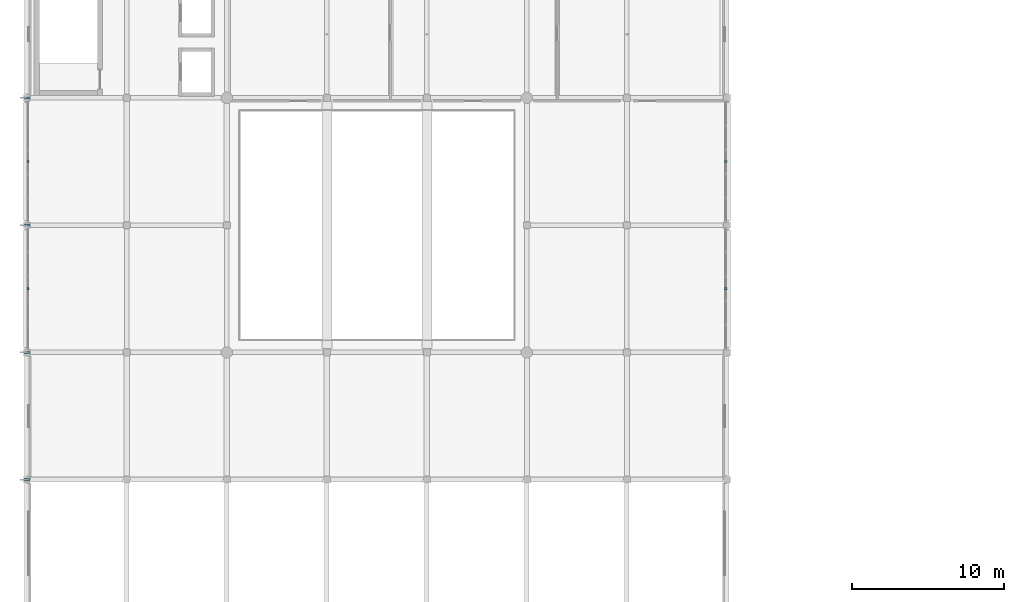
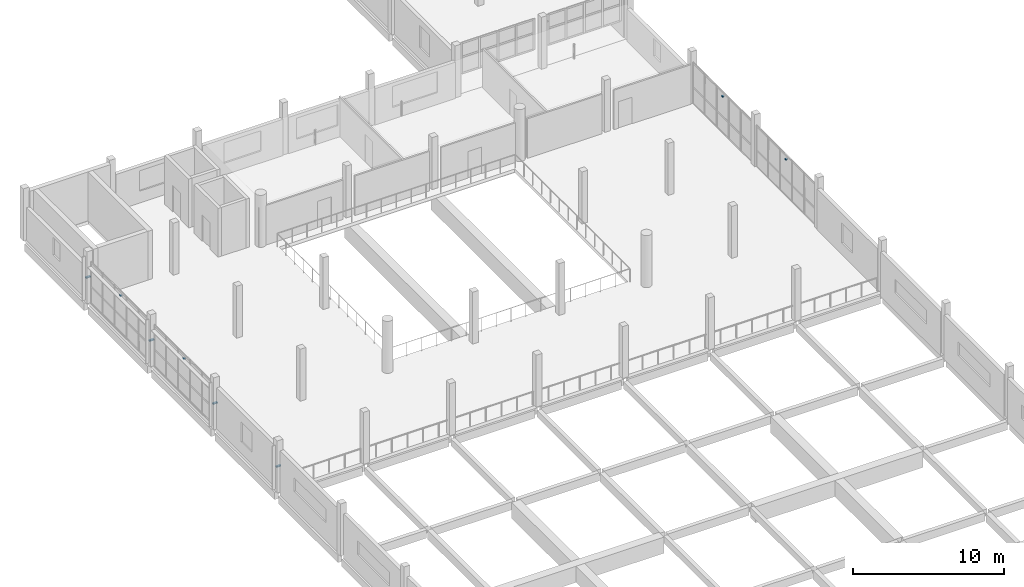
# One storey, part 59 of 74: 8 discrete accessories.
"""IFC4 building model written with IfcOpenShell, lengths in metres."""

from ifc_helpers import new_model, si_unit, direction, frame, origin, origin_2d, place, context, subcontext, project, spatial, rectangle, extrude, material, layer, layer_set, type_object, element, save


model = new_model("IFC4")

# Units and contexts
model_context = context("Model", 3, precision=1e-05, world=origin(), true_north=direction((0.0, 1.0)))
body_context = subcontext(model_context, "Body", "Model", "MODEL_VIEW")
ifc_project = project(units=[si_unit("LENGTHUNIT", "METRE"), si_unit("AREAUNIT", "SQUARE_METRE"), si_unit("VOLUMEUNIT", "CUBIC_METRE"), si_unit("PLANEANGLEUNIT", "RADIAN"), si_unit("MASSUNIT", "GRAM", prefix="KILO")], contexts=[model_context])

# Site, building, storey
site_placement = place(None, origin())
site = spatial("IfcSite", under=ifc_project, at=site_placement, CompositionType="ELEMENT")
building_placement = place(site_placement, origin())
building = spatial("IfcBuilding", under=site, at=building_placement, Name="Qaldarim Faculty of Natural and Applied Sciences", CompositionType="ELEMENT")
storey_placement = place(building_placement, frame((0.0, 0.0, 14.39990234375)))
storey = spatial("IfcBuildingStorey", under=building, at=storey_placement, Name="L03", CompositionType="ELEMENT", Elevation=14.39990234375)

# Discrete accessories
ifc_material = material(Name="Architectural stainless steel 316", Category="steel")
ifc_layer = layer(ifc_material, 0.080078125)
ifc_layer_set = layer_set([ifc_layer], Name="Architectural stainless steel 316")
discrete_accessory_type = type_object("IfcDiscreteAccessoryType", Name="FacadeBracket-SS120", PredefinedType="BRACKET", material=ifc_layer_set)
for number, where, z_axis, x_axis, name in (
    (1, (0.080078125, 63.0, 2.949951171875), (0.0, 0.0, 1.0), (0.0, 1.0, 0.0), "Solar louvre support bracket SHD-L03-W-X01Y08"),
    (2, (0.080078125, 71.39990234375, 2.949951171875), (0.0, 0.0, 1.0), (0.0, 1.0, 0.0), "Solar louvre support bracket SHD-L03-W-X01Y09"),
    (3, (46.1201171875, 63.0, 2.949951171875), (0.0, 0.0, 1.0), (0.0, 1.0, 0.0), "Solar louvre support bracket SHD-L03-E-X07Y08"),
    (4, (46.1201171875, 71.39990234375, 2.949951171875), (0.0, 0.0, 1.0), (0.0, 1.0, 0.0), "Solar louvre support bracket SHD-L03-E-X07Y09"),
):
    element("IfcDiscreteAccessory", number, at=place(storey_placement, frame(where, z_axis=z_axis, x_axis=x_axis)), inside=storey, type_object=discrete_accessory_type, Name=name, PredefinedType="BRACKET", context=body_context, shape_type="SweptSolid", body=[
        extrude(rectangle(XDim=0.159912109375, YDim=0.159912109375, at=origin_2d()), origin(), (0.0, 0.0, 1.0), 0.080078125),
    ])
for number, where, z_axis, x_axis, name in (
    (5, (0.0, 50.39990234375, 1.920166015625), (0.0, 0.0, 1.0), (1.0, 0.0, 0.0), "Solar fin bracket FIN-L03-X01Y07"),
    (6, (0.0, 58.800048828125, 1.920166015625), (0.0, 0.0, 1.0), (1.0, 0.0, 0.0), "Solar fin bracket FIN-L03-X01Y08"),
    (7, (0.0, 67.199951171875, 1.920166015625), (0.0, 0.0, 1.0), (1.0, 0.0, 0.0), "Solar fin bracket FIN-L03-X01Y09"),
    (8, (0.0, 75.60009765625, 1.920166015625), (0.0, 0.0, 1.0), (1.0, 0.0, 0.0), "Solar fin bracket FIN-L03-X01Y10"),
):
    element("IfcDiscreteAccessory", number, at=place(storey_placement, frame(where, z_axis=z_axis, x_axis=x_axis)), inside=storey, type_object=discrete_accessory_type, Name=name, PredefinedType="BRACKET", context=body_context, shape_type="SweptSolid", body=[
        extrude(rectangle(XDim=0.360107421875, YDim=0.139892578125, at=origin_2d()), origin(), (0.0, 0.0, 1.0), 0.10009765625),
    ])

save(model, "model.ifc")
